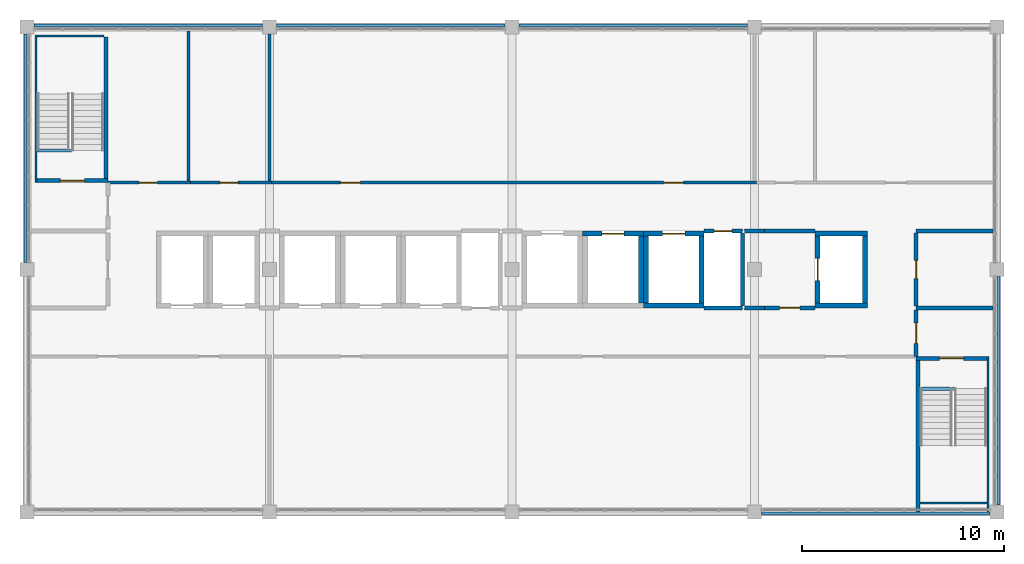
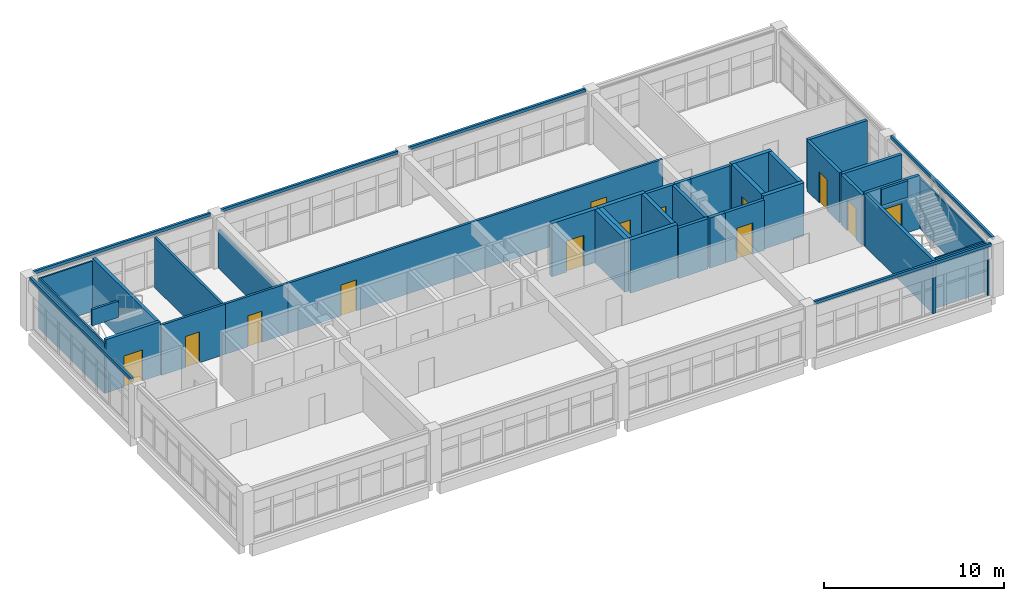
# One storey, part 14 of 16: 42 walls, 13 doors, 13 openings.
"""IFC4 building model written with IfcOpenShell, lengths in metres."""

from ifc_helpers import new_model, si_unit, direction, frame, frame_2d, origin, place, context, subcontext, project, spatial, rectangle, extrude, material, layer, layer_set, type_object, element, fill, save


model = new_model("IFC4")

# Units and contexts
model_context = context("Model", 3, precision=1e-05, world=origin(), true_north=direction((0.0, 1.0)))
body_context = subcontext(model_context, "Body", "Model", "MODEL_VIEW")
ifc_project = project(units=[si_unit("LENGTHUNIT", "METRE"), si_unit("AREAUNIT", "SQUARE_METRE"), si_unit("VOLUMEUNIT", "CUBIC_METRE"), si_unit("PLANEANGLEUNIT", "RADIAN"), si_unit("MASSUNIT", "GRAM", prefix="KILO")], contexts=[model_context])

# Site, building, storey
site_placement = place(None, origin())
site = spatial("IfcSite", under=ifc_project, at=site_placement, CompositionType="ELEMENT")
building_placement = place(site_placement, origin())
building = spatial("IfcBuilding", under=site, at=building_placement, Name="Lilac Gate Convention Centre", CompositionType="ELEMENT")
storey_placement = place(building_placement, frame((0.0, 0.0, 67.800048828125)))
storey = spatial("IfcBuildingStorey", under=building, at=storey_placement, Name="L17", CompositionType="ELEMENT", Elevation=67.800048828125)

# Walls
ifc_material_1 = material(Name="Concrete C40", Category="concrete")
ifc_layer_1 = layer(ifc_material_1, 0.10009765625)
ifc_layer_set_1 = layer_set([ifc_layer_1], Name="Concrete C40")
wall_type_1 = type_object("IfcWallType", Name="Core wall 100 C40", PredefinedType="SHEAR", material=ifc_layer_set_1)
wall_1_placement = place(storey_placement, frame((89.550048828125, 229.699951171875, 0.0), z_axis=(0.0, 0.0, 1.0), x_axis=(0.0, -1.0, 0.0)))
element("IfcWall", 1, at=wall_1_placement, inside=storey, type_object=wall_type_1, Name="CRW10 core wall TS-EX L17 1", PredefinedType="SHEAR", context=body_context, shape_type="SweptSolid", body=[
    extrude(rectangle(XDim=7.699951171875, YDim=0.10009765625, at=frame_2d((3.85009765625, 0.0))), origin(), (0.0, 0.0, 1.0), 3.39990234375),
])
wall_2_placement = place(storey_placement, frame((89.5, 222.449951171875, 0.0), z_axis=(0.0, 0.0, 1.0), x_axis=(-1.0, 0.0, 0.0)))
element("IfcWall", 2, at=wall_2_placement, inside=storey, type_object=wall_type_1, Name="CRW10 core wall TS-EX L17 2", PredefinedType="SHEAR", context=body_context, shape_type="SweptSolid", body=[
    extrude(rectangle(XDim=3.300048828125, YDim=0.10009765625, at=frame_2d((1.64990234375, 0.0))), origin(), (0.0, 0.0, 1.0), 3.39990234375),
])
wall_3_placement = place(storey_placement, frame((42.449951171875, 238.300048828125, 0.0), z_axis=(0.0, 0.0, 1.0), x_axis=(0.0, 1.0, 0.0)))
element("IfcWall", 3, at=wall_3_placement, inside=storey, type_object=wall_type_1, Name="CRW10 core wall TS-WX L17 1", PredefinedType="SHEAR", context=body_context, shape_type="SweptSolid", body=[
    extrude(rectangle(XDim=7.300048828125, YDim=0.10009765625, at=frame_2d((3.64990234375, 0.0))), origin(), (0.0, 0.0, 1.0), 3.39990234375),
])
wall_4_placement = place(storey_placement, frame((42.5, 245.550048828125, 0.0), z_axis=(0.0, 0.0, 1.0), x_axis=(1.0, 0.0, 0.0)))
element("IfcWall", 4, at=wall_4_placement, inside=storey, type_object=wall_type_1, Name="CRW10 core wall TS-WX L17 2", PredefinedType="SHEAR", context=body_context, shape_type="SweptSolid", body=[
    extrude(rectangle(XDim=3.300048828125, YDim=0.10009765625, at=frame_2d((1.64990234375, 0.0))), origin(), (0.0, 0.0, 1.0), 3.39990234375),
])

# Wall, opening, door
ifc_layer_2 = layer(ifc_material_1, 0.199951171875)
ifc_layer_set_2 = layer_set([ifc_layer_2], Name="Concrete C40")
wall_type_2 = type_object("IfcWallType", Name="Core wall 200 C40", PredefinedType="SHEAR", material=ifc_layer_set_2)
wall_5_placement = place(storey_placement, frame((89.5, 229.60009765625, 0.0), z_axis=(0.0, 0.0, 1.0), x_axis=(-1.0, 0.0, 0.0)))
wall_5 = element("IfcWall", 5, at=wall_5_placement, inside=storey, type_object=wall_type_2, Name="CRW7 core wall TS-E L17 1", PredefinedType="SHEAR", context=body_context, shape_type="SweptSolid", body=[
    extrude(rectangle(XDim=3.5, YDim=0.199951171875, at=frame_2d((1.75, 0.0))), origin(), (0.0, 0.0, 1.0), 3.599853515625),
])
opening_1_placement = place(wall_5_placement, frame((1.14990234375, 0.0, 0.0)))
opening_1 = element("IfcOpeningElement", 6, at=opening_1_placement, cuts=wall_5, Name="Opening T17-029", PredefinedType="OPENING", context=body_context, shape_type="SweptSolid", body=[
    extrude(rectangle(XDim=1.199951171875, YDim=2.10009765625, at=frame_2d((0.60009765625, 1.050048828125))), frame((0.0, 0.10986328125, 0.0), z_axis=(0.0, -1.0, 0.0), x_axis=(1.0, 0.0, 0.0)), (0.0, 0.0, 1.0), 0.219970703125),
])
ifc_material_2 = material(Name="Steel Q235B", Category="steel")
door_type_1 = type_object("IfcDoorType", Name="Stair door 1200", OperationType="SINGLE_SWING_LEFT", PredefinedType="DOOR", material=ifc_material_2)
door_1_placement = place(opening_1_placement, origin())
door_1 = element("IfcDoor", 7, at=door_1_placement, inside=storey, type_object=door_type_1, Name="Stair door SE L17", OperationType="SINGLE_SWING_RIGHT", OverallHeight=2.10009765625, OverallWidth=1.199951171875, PredefinedType="DOOR", context=body_context, shape_type="SweptSolid", body=[
    extrude(rectangle(XDim=1.199951171875, YDim=2.10009765625, at=frame_2d((0.60009765625, 1.050048828125))), frame((0.0, 0.02490234375, 0.0), z_axis=(0.0, -1.0, 0.0), x_axis=(1.0, 0.0, 0.0)), (0.0, 0.0, 1.0), 0.050048828125),
])
fill(opening_1, door_1)

# Wall
wall_6_placement = place(storey_placement, frame((86.10009765625, 222.0, 0.0), z_axis=(0.0, 0.0, 1.0), x_axis=(0.0, 1.0, 0.0)))
element("IfcWall", 8, at=wall_6_placement, inside=storey, type_object=wall_type_2, Name="CRW7 core wall TS-E L17 2", PredefinedType="SHEAR", context=body_context, shape_type="SweptSolid", body=[
    extrude(rectangle(XDim=7.5, YDim=0.199951171875, at=frame_2d((3.75, 0.0))), origin(), (0.0, 0.0, 1.0), 3.599853515625),
])

# Wall, opening, door
wall_7_placement = place(storey_placement, frame((42.5, 238.39990234375, 0.0), z_axis=(0.0, 0.0, 1.0), x_axis=(1.0, 0.0, 0.0)))
wall_7 = element("IfcWall", 9, at=wall_7_placement, inside=storey, type_object=wall_type_2, Name="CRW7 core wall TS-W L17 1", PredefinedType="SHEAR", context=body_context, shape_type="SweptSolid", body=[
    extrude(rectangle(XDim=3.5, YDim=0.199951171875, at=frame_2d((1.75, 0.0))), origin(), (0.0, 0.0, 1.0), 3.599853515625),
])
opening_2_placement = place(wall_7_placement, frame((1.14990234375, 0.0, 0.0)))
opening_2 = element("IfcOpeningElement", 10, at=opening_2_placement, cuts=wall_7, Name="Opening T17-028", PredefinedType="OPENING", context=body_context, shape_type="SweptSolid", body=[
    extrude(rectangle(XDim=1.199951171875, YDim=2.10009765625, at=frame_2d((0.60009765625, 1.050048828125))), frame((0.0, 0.10986328125, 0.0), z_axis=(0.0, -1.0, 0.0), x_axis=(1.0, 0.0, 0.0)), (0.0, 0.0, 1.0), 0.219970703125),
])
door_2_placement = place(opening_2_placement, origin())
door_2 = element("IfcDoor", 11, at=door_2_placement, inside=storey, type_object=door_type_1, Name="Stair door NW L17", OperationType="SINGLE_SWING_RIGHT", OverallHeight=2.10009765625, OverallWidth=1.199951171875, PredefinedType="DOOR", context=body_context, shape_type="SweptSolid", body=[
    extrude(rectangle(XDim=1.199951171875, YDim=2.10009765625, at=frame_2d((0.60009765625, 1.050048828125))), frame((0.0, 0.02490234375, 0.0), z_axis=(0.0, -1.0, 0.0), x_axis=(1.0, 0.0, 0.0)), (0.0, 0.0, 1.0), 0.050048828125),
])
fill(opening_2, door_2)

# Wall
wall_8_placement = place(storey_placement, frame((45.89990234375, 238.5, 0.0), z_axis=(0.0, 0.0, 1.0), x_axis=(0.0, 1.0, 0.0)))
element("IfcWall", 12, at=wall_8_placement, inside=storey, type_object=wall_type_2, Name="CRW7 core wall TS-W L17 2", PredefinedType="SHEAR", context=body_context, shape_type="SweptSolid", body=[
    extrude(rectangle(XDim=7.0, YDim=0.199951171875, at=frame_2d((3.5, 0.0))), origin(), (0.0, 0.0, 1.0), 3.599853515625),
])

# Wall, opening, door
ifc_layer_3 = layer(ifc_material_1, 0.25)
ifc_layer_set_3 = layer_set([ifc_layer_3], Name="Concrete C40")
wall_type_3 = type_object("IfcWallType", Name="Core wall 250 C40", PredefinedType="SHEAR", material=ifc_layer_set_3)
wall_9_placement = place(storey_placement, frame((69.5, 235.77490234375, 0.0), z_axis=(0.0, 0.0, 1.0), x_axis=(1.0, 0.0, 0.0)))
wall_9 = element("IfcWall", 13, at=wall_9_placement, inside=storey, type_object=wall_type_3, Name="CRW5 core wall TC L17 18", PredefinedType="SHEAR", context=body_context, shape_type="SweptSolid", body=[
    extrude(rectangle(XDim=3.0, YDim=0.25, at=frame_2d((1.5, 0.0))), origin(), (0.0, 0.0, 1.0), 3.599853515625),
])
opening_3_placement = place(wall_9_placement, frame((0.949951171875, 0.0, 0.0)))
opening_3 = element("IfcOpeningElement", 14, at=opening_3_placement, cuts=wall_9, Name="Opening T17-023", PredefinedType="OPENING", context=body_context, shape_type="SweptSolid", body=[
    extrude(rectangle(XDim=1.10009765625, YDim=2.10009765625, at=frame_2d((0.550048828125, 1.050048828125))), frame((0.0, 0.135009765625, 0.0), z_axis=(0.0, -1.0, 0.0), x_axis=(1.0, 0.0, 0.0)), (0.0, 0.0, 1.0), 0.27001953125),
])
ifc_material_3 = material(Name="Stainless steel 304", Category="steel")
door_type_2 = type_object("IfcDoorType", Name="Lift landing door 1100", OperationType="SLIDING_TO_LEFT", PredefinedType="DOOR", material=ifc_material_3)
door_3_placement = place(opening_3_placement, origin())
door_3 = element("IfcDoor", 15, at=door_3_placement, inside=storey, type_object=door_type_2, Name="Lift landing door TP5 L17", OperationType="SLIDING_TO_LEFT", OverallHeight=2.10009765625, OverallWidth=1.10009765625, PredefinedType="DOOR", context=body_context, shape_type="SweptSolid", body=[
    extrude(rectangle(XDim=1.10009765625, YDim=2.10009765625, at=frame_2d((0.550048828125, 1.050048828125))), frame((0.0, 0.02490234375, 0.0), z_axis=(0.0, -1.0, 0.0), x_axis=(1.0, 0.0, 0.0)), (0.0, 0.0, 1.0), 0.050048828125),
])
fill(opening_3, door_3)

# Walls
wall_10_placement = place(storey_placement, frame((72.375, 232.35009765625, 0.0), z_axis=(0.0, 0.0, 1.0), x_axis=(0.0, 1.0, 0.0)))
element("IfcWall", 16, at=wall_10_placement, inside=storey, type_object=wall_type_3, Name="CRW5 core wall TC L17 20", PredefinedType="SHEAR", context=body_context, shape_type="SweptSolid", body=[
    extrude(rectangle(XDim=3.2998046875, YDim=0.25, at=frame_2d((1.64990234375, 0.0))), origin(), (0.0, 0.0, 1.0), 3.599853515625),
])
wall_11_placement = place(storey_placement, frame((72.5, 232.22509765625, 0.0), z_axis=(0.0, 0.0, 1.0), x_axis=(1.0, 0.0, 0.0)))
element("IfcWall", 17, at=wall_11_placement, inside=storey, type_object=wall_type_3, Name="CRW5 core wall TC L17 21", PredefinedType="SHEAR", context=body_context, shape_type="SweptSolid", body=[
    extrude(rectangle(XDim=3.0, YDim=0.25, at=frame_2d((1.5, 0.0))), origin(), (0.0, 0.0, 1.0), 3.599853515625),
])

# Wall, opening, door
wall_12_placement = place(storey_placement, frame((72.5, 235.77490234375, 0.0), z_axis=(0.0, 0.0, 1.0), x_axis=(1.0, 0.0, 0.0)))
wall_12 = element("IfcWall", 18, at=wall_12_placement, inside=storey, type_object=wall_type_3, Name="CRW5 core wall TC L17 22", PredefinedType="SHEAR", context=body_context, shape_type="SweptSolid", body=[
    extrude(rectangle(XDim=3.0, YDim=0.25, at=frame_2d((1.5, 0.0))), origin(), (0.0, 0.0, 1.0), 3.599853515625),
])
opening_4_placement = place(wall_12_placement, frame((0.949951171875, 0.0, 0.0)))
opening_4 = element("IfcOpeningElement", 19, at=opening_4_placement, cuts=wall_12, Name="Opening T17-024", PredefinedType="OPENING", context=body_context, shape_type="SweptSolid", body=[
    extrude(rectangle(XDim=1.10009765625, YDim=2.10009765625, at=frame_2d((0.550048828125, 1.050048828125))), frame((0.0, 0.135009765625, 0.0), z_axis=(0.0, -1.0, 0.0), x_axis=(1.0, 0.0, 0.0)), (0.0, 0.0, 1.0), 0.27001953125),
])
door_4_placement = place(opening_4_placement, origin())
door_4 = element("IfcDoor", 20, at=door_4_placement, inside=storey, type_object=door_type_2, Name="Lift landing door TP6 L17", OperationType="SLIDING_TO_LEFT", OverallHeight=2.10009765625, OverallWidth=1.10009765625, PredefinedType="DOOR", context=body_context, shape_type="SweptSolid", body=[
    extrude(rectangle(XDim=1.10009765625, YDim=2.10009765625, at=frame_2d((0.550048828125, 1.050048828125))), frame((0.0, 0.02490234375, 0.0), z_axis=(0.0, -1.0, 0.0), x_axis=(1.0, 0.0, 0.0)), (0.0, 0.0, 1.0), 0.050048828125),
])
fill(opening_4, door_4)

# Walls
for number, where, z_axis, x_axis, name in (
    (21, (72.625, 232.35009765625, 0.0), (0.0, 0.0, 1.0), (0.0, 1.0, 0.0), "CRW5 core wall TC L17 23"),
    (22, (75.375, 232.35009765625, 0.0), (0.0, 0.0, 1.0), (0.0, 1.0, 0.0), "CRW5 core wall TC L17 24"),
):
    element("IfcWall", number, at=place(storey_placement, frame(where, z_axis=z_axis, x_axis=x_axis)), inside=storey, type_object=wall_type_3, Name=name, PredefinedType="SHEAR", context=body_context, shape_type="SweptSolid", body=[
        extrude(rectangle(XDim=3.2998046875, YDim=0.25, at=frame_2d((1.64990234375, 0.0))), origin(), (0.0, 0.0, 1.0), 3.599853515625),
    ])
for number, where, z_axis, x_axis, name in (
    (23, (81.0, 232.22509765625, 0.0), (0.0, 0.0, 1.0), (1.0, 0.0, 0.0), "CRW5 core wall TC L17 33"),
    (24, (81.0, 235.77490234375, 0.0), (0.0, 0.0, 1.0), (1.0, 0.0, 0.0), "CRW5 core wall TC L17 34"),
):
    element("IfcWall", number, at=place(storey_placement, frame(where, z_axis=z_axis, x_axis=x_axis)), inside=storey, type_object=wall_type_3, Name=name, PredefinedType="SHEAR", context=body_context, shape_type="SweptSolid", body=[
        extrude(rectangle(XDim=2.60009765625, YDim=0.25, at=frame_2d((1.300048828125, 0.0))), origin(), (0.0, 0.0, 1.0), 3.599853515625),
    ])

# Wall, opening, door
wall_13_placement = place(storey_placement, frame((81.125, 232.35009765625, 0.0), z_axis=(0.0, 0.0, 1.0), x_axis=(0.0, 1.0, 0.0)))
wall_13 = element("IfcWall", 25, at=wall_13_placement, inside=storey, type_object=wall_type_3, Name="CRW5 core wall TC L17 35", PredefinedType="SHEAR", context=body_context, shape_type="SweptSolid", body=[
    extrude(rectangle(XDim=3.2998046875, YDim=0.25, at=frame_2d((1.64990234375, 0.0))), origin(), (0.0, 0.0, 1.0), 3.599853515625),
])
opening_5_placement = place(wall_13_placement, frame((1.10009765625, 0.0, 0.0)))
opening_5 = element("IfcOpeningElement", 26, at=opening_5_placement, cuts=wall_13, Name="Opening T17-027", PredefinedType="OPENING", context=body_context, shape_type="SweptSolid", body=[
    extrude(rectangle(XDim=1.10009765625, YDim=2.10009765625, at=frame_2d((0.550048828125, 1.050048828125))), frame((0.0, 0.135009765625, 0.0), z_axis=(0.0, -1.0, 0.0), x_axis=(1.0, 0.0, 0.0)), (0.0, 0.0, 1.0), 0.27001953125),
])
door_5_placement = place(opening_5_placement, origin())
door_5 = element("IfcDoor", 27, at=door_5_placement, inside=storey, type_object=door_type_2, Name="Lift landing door TF1 L17", OperationType="SLIDING_TO_LEFT", OverallHeight=2.10009765625, OverallWidth=1.10009765625, PredefinedType="DOOR", context=body_context, shape_type="SweptSolid", body=[
    extrude(rectangle(XDim=1.10009765625, YDim=2.10009765625, at=frame_2d((0.550048828125, 1.050048828125))), frame((0.0, 0.02490234375, 0.0), z_axis=(0.0, -1.0, 0.0), x_axis=(1.0, 0.0, 0.0)), (0.0, 0.0, 1.0), 0.050048828125),
])
fill(opening_5, door_5)

# Wall
wall_14_placement = place(storey_placement, frame((83.47509765625, 232.35009765625, 0.0), z_axis=(0.0, 0.0, 1.0), x_axis=(0.0, 1.0, 0.0)))
element("IfcWall", 28, at=wall_14_placement, inside=storey, type_object=wall_type_3, Name="CRW5 core wall TC L17 36", PredefinedType="SHEAR", context=body_context, shape_type="SweptSolid", body=[
    extrude(rectangle(XDim=3.2998046875, YDim=0.25, at=frame_2d((1.64990234375, 0.0))), origin(), (0.0, 0.0, 1.0), 3.599853515625),
])

# Wall, opening, door
ifc_material_4 = material(Name="Gypsum board on steel stud", Category="steel")
ifc_layer_4 = layer(ifc_material_4, 0.14990234375)
ifc_layer_set_4 = layer_set([ifc_layer_4], Name="Gypsum board on steel stud")
wall_type_4 = type_object("IfcWallType", Name="Corridor wall 150", PredefinedType="PARTITIONING", material=ifc_layer_set_4)
wall_15_placement = place(storey_placement, frame((46.0, 238.300048828125, 0.0), z_axis=(0.0, 0.0, 1.0), x_axis=(1.0, 0.0, 0.0)))
wall_15 = element("IfcWall", 29, at=wall_15_placement, inside=storey, type_object=wall_type_4, Name="Corridor wall 150 front WCW", PredefinedType="PARTITIONING", context=body_context, shape_type="SweptSolid", body=[
    extrude(rectangle(XDim=4.10009765625, YDim=0.14990234375, at=frame_2d((2.050048828125, 0.0))), origin(), (0.0, 0.0, 1.0), 3.39990234375),
])
opening_6_placement = place(wall_15_placement, frame((1.550048828125, 0.0, 0.0)))
opening_6 = element("IfcOpeningElement", 30, at=opening_6_placement, cuts=wall_15, Name="Opening T17-013", PredefinedType="OPENING", context=body_context, shape_type="SweptSolid", body=[
    extrude(rectangle(XDim=0.89990234375, YDim=2.10009765625, at=frame_2d((0.449951171875, 1.050048828125))), frame((0.0, 0.0849609375, 0.0), z_axis=(0.0, -1.0, 0.0), x_axis=(1.0, 0.0, 0.0)), (0.0, 0.0, 1.0), 0.169921875),
])
ifc_material_5 = material(Name="Timber", Category="wood")
door_type_3 = type_object("IfcDoorType", Name="WC door 900", OperationType="SINGLE_SWING_LEFT", PredefinedType="DOOR", material=ifc_material_5)
door_6_placement = place(opening_6_placement, origin())
door_6 = element("IfcDoor", 31, at=door_6_placement, inside=storey, type_object=door_type_3, Name="Women's WC door", OperationType="SINGLE_SWING_RIGHT", OverallHeight=2.10009765625, OverallWidth=0.89990234375, PredefinedType="DOOR", context=body_context, shape_type="SweptSolid", body=[
    extrude(rectangle(XDim=0.89990234375, YDim=2.10009765625, at=frame_2d((0.449951171875, 1.050048828125))), frame((0.0, 0.02490234375, 0.0), z_axis=(0.0, -1.0, 0.0), x_axis=(1.0, 0.0, 0.0)), (0.0, 0.0, 1.0), 0.050048828125),
])
fill(opening_6, door_6)

wall_16_placement = place(storey_placement, frame((50.10009765625, 238.300048828125, 0.0), z_axis=(0.0, 0.0, 1.0), x_axis=(1.0, 0.0, 0.0)))
wall_16 = element("IfcWall", 32, at=wall_16_placement, inside=storey, type_object=wall_type_4, Name="Corridor wall 150 front WCM", PredefinedType="PARTITIONING", context=body_context, shape_type="SweptSolid", body=[
    extrude(rectangle(XDim=4.0, YDim=0.14990234375, at=frame_2d((2.0, 0.0))), origin(), (0.0, 0.0, 1.0), 3.39990234375),
])
opening_7_placement = place(wall_16_placement, frame((1.449951171875, 0.0, 0.0)))
opening_7 = element("IfcOpeningElement", 33, at=opening_7_placement, cuts=wall_16, Name="Opening T17-014", PredefinedType="OPENING", context=body_context, shape_type="SweptSolid", body=[
    extrude(rectangle(XDim=0.89990234375, YDim=2.10009765625, at=frame_2d((0.449951171875, 1.050048828125))), frame((0.0, 0.0849609375, 0.0), z_axis=(0.0, -1.0, 0.0), x_axis=(1.0, 0.0, 0.0)), (0.0, 0.0, 1.0), 0.169921875),
])
door_7_placement = place(opening_7_placement, origin())
door_7 = element("IfcDoor", 34, at=door_7_placement, inside=storey, type_object=door_type_3, Name="Men's WC door", OperationType="SINGLE_SWING_LEFT", OverallHeight=2.10009765625, OverallWidth=0.89990234375, PredefinedType="DOOR", context=body_context, shape_type="SweptSolid", body=[
    extrude(rectangle(XDim=0.89990234375, YDim=2.10009765625, at=frame_2d((0.449951171875, 1.050048828125))), frame((0.0, 0.02490234375, 0.0), z_axis=(0.0, -1.0, 0.0), x_axis=(1.0, 0.0, 0.0)), (0.0, 0.0, 1.0), 0.050048828125),
])
fill(opening_7, door_7)

# Wall, openings, doors
wall_17_placement = place(storey_placement, frame((54.10009765625, 238.300048828125, 0.0), z_axis=(0.0, 0.0, 1.0), x_axis=(1.0, 0.0, 0.0)))
wall_17 = element("IfcWall", 35, at=wall_17_placement, inside=storey, type_object=wall_type_4, Name="Corridor wall 150 front SKB", PredefinedType="PARTITIONING", context=body_context, shape_type="SweptSolid", body=[
    extrude(rectangle(XDim=24.0, YDim=0.14990234375, at=frame_2d((12.0, 0.0))), origin(), (0.0, 0.0, 1.0), 3.39990234375),
])
opening_8_placement = place(wall_17_placement, frame((3.39990234375, 0.0, 0.0)))
opening_8 = element("IfcOpeningElement", 36, at=opening_8_placement, cuts=wall_17, Name="Opening T17-015", PredefinedType="OPENING", context=body_context, shape_type="SweptSolid", body=[
    extrude(rectangle(XDim=1.0, YDim=2.10009765625, at=frame_2d((0.5, 1.050048828125))), frame((0.0, 0.0849609375, 0.0), z_axis=(0.0, -1.0, 0.0), x_axis=(1.0, 0.0, 0.0)), (0.0, 0.0, 1.0), 0.169921875),
])
opening_9_placement = place(wall_17_placement, frame((19.39990234375, 0.0, 0.0)))
opening_9 = element("IfcOpeningElement", 37, at=opening_9_placement, cuts=wall_17, Name="Opening T17-016", PredefinedType="OPENING", context=body_context, shape_type="SweptSolid", body=[
    extrude(rectangle(XDim=1.0, YDim=2.10009765625, at=frame_2d((0.5, 1.050048828125))), frame((0.0, 0.0849609375, 0.0), z_axis=(0.0, -1.0, 0.0), x_axis=(1.0, 0.0, 0.0)), (0.0, 0.0, 1.0), 0.169921875),
])
door_type_4 = type_object("IfcDoorType", Name="Room door 1000", OperationType="SINGLE_SWING_LEFT", PredefinedType="DOOR", material=ifc_material_5)
door_8_placement = place(opening_8_placement, origin())
door_8 = element("IfcDoor", 38, at=door_8_placement, inside=storey, type_object=door_type_4, Name="Sky Bar door", OperationType="SINGLE_SWING_LEFT", OverallHeight=2.10009765625, OverallWidth=1.0, PredefinedType="DOOR", context=body_context, shape_type="SweptSolid", body=[
    extrude(rectangle(XDim=1.0, YDim=2.10009765625, at=frame_2d((0.5, 1.050048828125))), frame((0.0, 0.02490234375, 0.0), z_axis=(0.0, -1.0, 0.0), x_axis=(1.0, 0.0, 0.0)), (0.0, 0.0, 1.0), 0.050048828125),
])
fill(opening_8, door_8)
door_9_placement = place(opening_9_placement, origin())
door_9 = element("IfcDoor", 39, at=door_9_placement, inside=storey, type_object=door_type_4, Name="Sky Bar door", OperationType="SINGLE_SWING_RIGHT", OverallHeight=2.10009765625, OverallWidth=1.0, PredefinedType="DOOR", context=body_context, shape_type="SweptSolid", body=[
    extrude(rectangle(XDim=1.0, YDim=2.10009765625, at=frame_2d((0.5, 1.050048828125))), frame((0.0, 0.02490234375, 0.0), z_axis=(0.0, -1.0, 0.0), x_axis=(1.0, 0.0, 0.0)), (0.0, 0.0, 1.0), 0.050048828125),
])
fill(opening_9, door_9)

# Wall, opening, door
ifc_layer_5 = layer(ifc_material_4, 0.199951171875)
ifc_layer_set_5 = layer_set([ifc_layer_5], Name="Gypsum board on steel stud")
wall_type_5 = type_object("IfcWallType", Name="Lobby wall 200", PredefinedType="PARTITIONING", material=ifc_layer_set_5)
wall_18_placement = place(storey_placement, frame((78.5, 232.10009765625, 0.0), z_axis=(0.0, 0.0, 1.0), x_axis=(1.0, 0.0, 0.0)))
wall_18 = element("IfcWall", 40, at=wall_18_placement, inside=storey, type_object=wall_type_5, Name="Lobby wall 200 FFL-S", PredefinedType="PARTITIONING", context=body_context, shape_type="SweptSolid", body=[
    extrude(rectangle(XDim=2.5, YDim=0.199951171875, at=frame_2d((1.25, 0.0))), origin(), (0.0, 0.0, 1.0), 3.39990234375),
])
opening_10_placement = place(wall_18_placement, frame((0.75, 0.0, 0.0)))
opening_10 = element("IfcOpeningElement", 41, at=opening_10_placement, cuts=wall_18, Name="Opening T17-004", PredefinedType="OPENING", context=body_context, shape_type="SweptSolid", body=[
    extrude(rectangle(XDim=1.0, YDim=2.10009765625, at=frame_2d((0.5, 1.050048828125))), frame((0.0, 0.10986328125, 0.0), z_axis=(0.0, -1.0, 0.0), x_axis=(1.0, 0.0, 0.0)), (0.0, 0.0, 1.0), 0.219970703125),
])
door_type_5 = type_object("IfcDoorType", Name="Lobby door 1000", OperationType="SINGLE_SWING_LEFT", PredefinedType="DOOR", material=ifc_material_2)
door_10_placement = place(opening_10_placement, origin())
door_10 = element("IfcDoor", 42, at=door_10_placement, inside=storey, type_object=door_type_5, Name="Firefighting lobby door", OperationType="SINGLE_SWING_RIGHT", OverallHeight=2.10009765625, OverallWidth=1.0, PredefinedType="DOOR", context=body_context, shape_type="SweptSolid", body=[
    extrude(rectangle(XDim=1.0, YDim=2.10009765625, at=frame_2d((0.5, 1.050048828125))), frame((0.0, 0.02490234375, 0.0), z_axis=(0.0, -1.0, 0.0), x_axis=(1.0, 0.0, 0.0)), (0.0, 0.0, 1.0), 0.050048828125),
])
fill(opening_10, door_10)

# Walls
wall_19_placement = place(storey_placement, frame((86.0, 232.10009765625, 0.0), z_axis=(0.0, 0.0, 1.0), x_axis=(1.0, 0.0, 0.0)))
element("IfcWall", 43, at=wall_19_placement, inside=storey, type_object=wall_type_5, Name="Lobby wall 200 STL-N", PredefinedType="PARTITIONING", context=body_context, shape_type="SweptSolid", body=[
    extrude(rectangle(XDim=3.7998046875, YDim=0.199951171875, at=frame_2d((1.89990234375, 0.0))), origin(), (0.0, 0.0, 1.0), 3.39990234375),
])
wall_20_placement = place(storey_placement, frame((78.5, 235.89990234375, 0.0), z_axis=(0.0, 0.0, 1.0), x_axis=(1.0, 0.0, 0.0)))
element("IfcWall", 44, at=wall_20_placement, inside=storey, type_object=wall_type_5, Name="Lobby wall 200 FFL-N", PredefinedType="PARTITIONING", context=body_context, shape_type="SweptSolid", body=[
    extrude(rectangle(XDim=2.5, YDim=0.199951171875, at=frame_2d((1.25, 0.0))), origin(), (0.0, 0.0, 1.0), 3.39990234375),
])

# Wall, opening, door
wall_21_placement = place(storey_placement, frame((86.0, 232.0, 0.0), z_axis=(0.0, 0.0, 1.0), x_axis=(0.0, -1.0, 0.0)))
wall_21 = element("IfcWall", 45, at=wall_21_placement, inside=storey, type_object=wall_type_5, Name="Lobby wall 200 STL-SE-W", PredefinedType="PARTITIONING", context=body_context, shape_type="SweptSolid", body=[
    extrude(rectangle(XDim=2.300048828125, YDim=0.199951171875, at=frame_2d((1.14990234375, 0.0))), origin(), (0.0, 0.0, 1.0), 3.39990234375),
])
opening_11_placement = place(wall_21_placement, frame((0.64990234375, 0.0, 0.0)))
opening_11 = element("IfcOpeningElement", 46, at=opening_11_placement, cuts=wall_21, Name="Opening T17-007", PredefinedType="OPENING", context=body_context, shape_type="SweptSolid", body=[
    extrude(rectangle(XDim=1.0, YDim=2.10009765625, at=frame_2d((0.5, 1.050048828125))), frame((0.0, 0.10986328125, 0.0), z_axis=(0.0, -1.0, 0.0), x_axis=(1.0, 0.0, 0.0)), (0.0, 0.0, 1.0), 0.219970703125),
])
door_11_placement = place(opening_11_placement, origin())
door_11 = element("IfcDoor", 47, at=door_11_placement, inside=storey, type_object=door_type_5, Name="Stair lobby door SE", OperationType="SINGLE_SWING_LEFT", OverallHeight=2.10009765625, OverallWidth=1.0, PredefinedType="DOOR", context=body_context, shape_type="SweptSolid", body=[
    extrude(rectangle(XDim=1.0, YDim=2.10009765625, at=frame_2d((0.5, 1.050048828125))), frame((0.0, 0.02490234375, 0.0), z_axis=(0.0, -1.0, 0.0), x_axis=(1.0, 0.0, 0.0)), (0.0, 0.0, 1.0), 0.050048828125),
])
fill(opening_11, door_11)

# Walls
ifc_material_6 = material(Name="Concrete C40 precast", Category="concrete")
ifc_layer_6 = layer(ifc_material_6, 0.1298828125)
ifc_material_7 = material(Name="Teal glazed cladding")
ifc_layer_7 = layer(ifc_material_7, 0.02001953125)
ifc_layer_set_6 = layer_set([ifc_layer_6, ifc_layer_7], Name="Concrete C40 precast, Teal glazed cladding")
wall_type_6 = type_object("IfcWallType", Name="Precast band teal 150", PredefinedType="STANDARD", material=ifc_layer_set_6)
for number, where, z_axis, x_axis, name in (
    (48, (78.35009765625, 221.925048828125, 3.39990234375), (0.0, 0.0, 1.0), (1.0, 0.0, 0.0), "Precast band S L17 4"),
    (49, (90.074951171875, 222.35009765625, 3.39990234375), (0.0, 0.0, 1.0), (0.0, 1.0, 0.0), "Precast band E L17 1"),
    (50, (77.64990234375, 246.074951171875, 3.39990234375), (0.0, 0.0, 1.0), (-1.0, 0.0, 0.0), "Precast band N L17 2"),
    (51, (65.64990234375, 246.074951171875, 3.39990234375), (0.0, 0.0, 1.0), (-1.0, 0.0, 0.0), "Precast band N L17 3"),
    (52, (53.64990234375, 246.074951171875, 3.39990234375), (0.0, 0.0, 1.0), (-1.0, 0.0, 0.0), "Precast band N L17 4"),
    (53, (41.925048828125, 245.64990234375, 3.39990234375), (0.0, 0.0, 1.0), (0.0, -1.0, 0.0), "Precast band W L17 1"),
):
    element("IfcWall", number, at=place(storey_placement, frame(where, z_axis=z_axis, x_axis=x_axis)), inside=storey, type_object=wall_type_6, Name=name, PredefinedType="STANDARD", context=body_context, shape_type="SweptSolid", body=[
        extrude(rectangle(XDim=11.2998046875, YDim=0.14990234375, at=frame_2d((5.64990234375, 0.0))), origin(), (0.0, 0.0, 1.0), 0.199951171875),
    ])
ifc_layer_8 = layer(ifc_material_4, 0.199951171875)
ifc_layer_set_7 = layer_set([ifc_layer_8], Name="Gypsum board on steel stud")
wall_type_7 = type_object("IfcWallType", Name="Riser and store wall 200", PredefinedType="PARTITIONING", material=ifc_layer_set_7)
wall_22_placement = place(storey_placement, frame((75.5, 232.10009765625, 0.0), z_axis=(0.0, 0.0, 1.0), x_axis=(1.0, 0.0, 0.0)))
element("IfcWall", 54, at=wall_22_placement, inside=storey, type_object=wall_type_7, Name="Riser and store wall 200 RS2-S", PredefinedType="PARTITIONING", context=body_context, shape_type="SweptSolid", body=[
    extrude(rectangle(XDim=1.89990234375, YDim=0.199951171875, at=frame_2d((0.949951171875, 0.0))), origin(), (0.0, 0.0, 1.0), 3.39990234375),
])
wall_23_placement = place(storey_placement, frame((77.5, 232.10009765625, 0.0), z_axis=(0.0, 0.0, 1.0), x_axis=(1.0, 0.0, 0.0)))
element("IfcWall", 55, at=wall_23_placement, inside=storey, type_object=wall_type_7, Name="Riser and store wall 200 NICHE3-S", PredefinedType="PARTITIONING", context=body_context, shape_type="SweptSolid", body=[
    extrude(rectangle(XDim=1.0, YDim=0.199951171875, at=frame_2d((0.5, 0.0))), origin(), (0.0, 0.0, 1.0), 3.39990234375),
])

# Wall, opening, door
wall_24_placement = place(storey_placement, frame((77.39990234375, 235.89990234375, 0.0), z_axis=(0.0, 0.0, 1.0), x_axis=(-1.0, 0.0, 0.0)))
wall_24 = element("IfcWall", 56, at=wall_24_placement, inside=storey, type_object=wall_type_7, Name="Riser and store wall 200 RS2-N", PredefinedType="PARTITIONING", context=body_context, shape_type="SweptSolid", body=[
    extrude(rectangle(XDim=1.89990234375, YDim=0.199951171875, at=frame_2d((0.949951171875, 0.0))), origin(), (0.0, 0.0, 1.0), 3.39990234375),
])
opening_12_placement = place(wall_24_placement, frame((0.5, 0.0, 0.0)))
opening_12 = element("IfcOpeningElement", 57, at=opening_12_placement, cuts=wall_24, Name="Opening T17-003", PredefinedType="OPENING", context=body_context, shape_type="SweptSolid", body=[
    extrude(rectangle(XDim=0.89990234375, YDim=2.10009765625, at=frame_2d((0.449951171875, 1.050048828125))), frame((0.0, 0.10986328125, 0.0), z_axis=(0.0, -1.0, 0.0), x_axis=(1.0, 0.0, 0.0)), (0.0, 0.0, 1.0), 0.219970703125),
])
door_type_6 = type_object("IfcDoorType", Name="Riser and store door 900", OperationType="SINGLE_SWING_LEFT", PredefinedType="DOOR", material=ifc_material_2)
door_12_placement = place(opening_12_placement, origin())
door_12 = element("IfcDoor", 58, at=door_12_placement, inside=storey, type_object=door_type_6, Name="Riser room door", OperationType="SINGLE_SWING_LEFT", OverallHeight=2.10009765625, OverallWidth=0.89990234375, PredefinedType="DOOR", context=body_context, shape_type="SweptSolid", body=[
    extrude(rectangle(XDim=0.89990234375, YDim=2.10009765625, at=frame_2d((0.449951171875, 1.050048828125))), frame((0.0, 0.02490234375, 0.0), z_axis=(0.0, -1.0, 0.0), x_axis=(1.0, 0.0, 0.0)), (0.0, 0.0, 1.0), 0.050048828125),
])
fill(opening_12, door_12)

# Walls
wall_25_placement = place(storey_placement, frame((77.5, 235.89990234375, 0.0), z_axis=(0.0, 0.0, 1.0), x_axis=(1.0, 0.0, 0.0)))
element("IfcWall", 59, at=wall_25_placement, inside=storey, type_object=wall_type_7, Name="Riser and store wall 200 NICHE3-N", PredefinedType="PARTITIONING", context=body_context, shape_type="SweptSolid", body=[
    extrude(rectangle(XDim=1.0, YDim=0.199951171875, at=frame_2d((0.5, 0.0))), origin(), (0.0, 0.0, 1.0), 3.39990234375),
])
wall_26_placement = place(storey_placement, frame((86.0, 235.89990234375, 0.0), z_axis=(0.0, 0.0, 1.0), x_axis=(1.0, 0.0, 0.0)))
element("IfcWall", 60, at=wall_26_placement, inside=storey, type_object=wall_type_7, Name="Riser and store wall 200 STE-N", PredefinedType="PARTITIONING", context=body_context, shape_type="SweptSolid", body=[
    extrude(rectangle(XDim=3.7998046875, YDim=0.199951171875, at=frame_2d((1.89990234375, 0.0))), origin(), (0.0, 0.0, 1.0), 3.39990234375),
])
wall_27_placement = place(storey_placement, frame((77.39990234375, 232.199951171875, 0.0), z_axis=(0.0, 0.0, 1.0), x_axis=(0.0, 1.0, 0.0)))
element("IfcWall", 61, at=wall_27_placement, inside=storey, type_object=wall_type_7, Name="Riser and store wall 200 RS2-E", PredefinedType="PARTITIONING", context=body_context, shape_type="SweptSolid", body=[
    extrude(rectangle(XDim=3.60009765625, YDim=0.199951171875, at=frame_2d((1.800048828125, 0.0))), origin(), (0.0, 0.0, 1.0), 3.39990234375),
])

# Wall, opening, door
wall_28_placement = place(storey_placement, frame((86.0, 235.800048828125, 0.0), z_axis=(0.0, 0.0, 1.0), x_axis=(0.0, -1.0, 0.0)))
wall_28 = element("IfcWall", 62, at=wall_28_placement, inside=storey, type_object=wall_type_7, Name="Riser and store wall 200 STE-W", PredefinedType="PARTITIONING", context=body_context, shape_type="SweptSolid", body=[
    extrude(rectangle(XDim=3.60009765625, YDim=0.199951171875, at=frame_2d((1.800048828125, 0.0))), origin(), (0.0, 0.0, 1.0), 3.39990234375),
])
opening_13_placement = place(wall_28_placement, frame((1.35009765625, 0.0, 0.0)))
opening_13 = element("IfcOpeningElement", 63, at=opening_13_placement, cuts=wall_28, Name="Opening T17-005", PredefinedType="OPENING", context=body_context, shape_type="SweptSolid", body=[
    extrude(rectangle(XDim=0.89990234375, YDim=2.10009765625, at=frame_2d((0.449951171875, 1.050048828125))), frame((0.0, 0.10986328125, 0.0), z_axis=(0.0, -1.0, 0.0), x_axis=(1.0, 0.0, 0.0)), (0.0, 0.0, 1.0), 0.219970703125),
])
door_13_placement = place(opening_13_placement, origin())
door_13 = element("IfcDoor", 64, at=door_13_placement, inside=storey, type_object=door_type_6, Name="Linen store door", OperationType="SINGLE_SWING_LEFT", OverallHeight=2.10009765625, OverallWidth=0.89990234375, PredefinedType="DOOR", context=body_context, shape_type="SweptSolid", body=[
    extrude(rectangle(XDim=0.89990234375, YDim=2.10009765625, at=frame_2d((0.449951171875, 1.050048828125))), frame((0.0, 0.02490234375, 0.0), z_axis=(0.0, -1.0, 0.0), x_axis=(1.0, 0.0, 0.0)), (0.0, 0.0, 1.0), 0.050048828125),
])
fill(opening_13, door_13)

# Walls
ifc_layer_9 = layer(ifc_material_4, 0.14990234375)
ifc_layer_set_8 = layer_set([ifc_layer_9], Name="Gypsum board on steel stud")
wall_type_8 = type_object("IfcWallType", Name="Room partition 150", PredefinedType="PARTITIONING", material=ifc_layer_set_8)
wall_29_placement = place(storey_placement, frame((50.0, 245.7998046875, 0.0), z_axis=(0.0, 0.0, 1.0), x_axis=(0.0, -1.0, 0.0)))
element("IfcWall", 65, at=wall_29_placement, inside=storey, type_object=wall_type_8, Name="Room partition 150 part WCM", PredefinedType="PARTITIONING", context=body_context, shape_type="SweptSolid", body=[
    extrude(rectangle(XDim=7.4248046875, YDim=0.14990234375, at=frame_2d((3.71240234375, 0.0))), origin(), (0.0, 0.0, 1.0), 3.39990234375),
])
wall_30_placement = place(storey_placement, frame((54.0, 245.64990234375, 0.0), z_axis=(0.0, 0.0, 1.0), x_axis=(0.0, -1.0, 0.0)))
element("IfcWall", 66, at=wall_30_placement, inside=storey, type_object=wall_type_8, Name="Room partition 150 part SKB", PredefinedType="PARTITIONING", context=body_context, shape_type="SweptSolid", body=[
    extrude(rectangle(XDim=7.27490234375, YDim=0.14990234375, at=frame_2d((3.637451171875, 0.0))), origin(), (0.0, 0.0, 1.0), 2.599853515625),
])
ifc_layer_10 = layer(ifc_material_1, 0.14990234375)
ifc_layer_set_9 = layer_set([ifc_layer_10], Name="Concrete C40")
wall_type_9 = type_object("IfcWallType", Name="Stair guard wall 150", PredefinedType="SOLIDWALL", material=ifc_layer_set_9)
for number, where, z_axis, x_axis, name in (
    (67, (42.5, 239.89990234375, 3.599853515625), (0.0, 0.0, 1.0), (1.0, 0.0, 0.0), "Stair guard wall NW roof"),
    (68, (86.199951171875, 228.10009765625, 3.599853515625), (0.0, 0.0, 1.0), (1.0, 0.0, 0.0), "Stair guard wall SE roof"),
):
    element("IfcWall", number, at=place(storey_placement, frame(where, z_axis=z_axis, x_axis=x_axis)), inside=storey, type_object=wall_type_9, Name=name, PredefinedType="SOLIDWALL", context=body_context, shape_type="SweptSolid", body=[
        extrude(rectangle(XDim=1.699951171875, YDim=0.14990234375, at=frame_2d((0.85009765625, 0.0))), origin(), (0.0, 0.0, 1.0), 1.10009765625),
    ])

save(model, "model.ifc")
